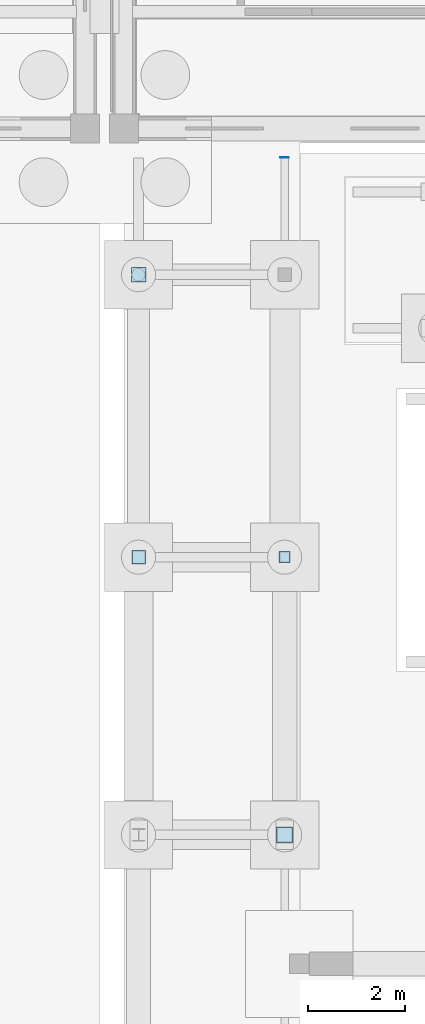
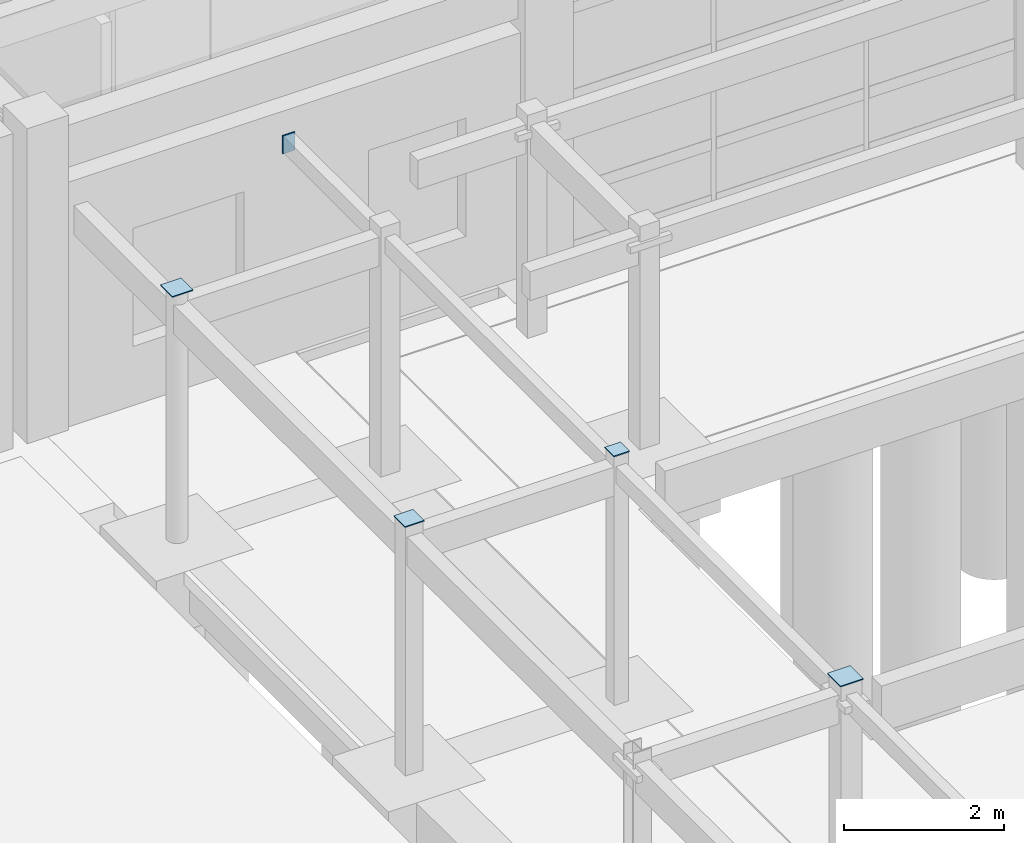
# One storey, part 89 of 143: 5 plates.
"""IFC4 building model written with IfcOpenShell, lengths in metres."""

from ifc_helpers import new_model, si_unit, direction, frame, origin, origin_2d, place, context, subcontext, project, spatial, rectangle, extrude, material, layer, layer_set, type_object, element, save


model = new_model("IFC4")

# Units and contexts
model_context = context("Model", 3, precision=1e-05, world=origin(), true_north=direction((0.0, 1.0)))
body_context = subcontext(model_context, "Body", "Model", "MODEL_VIEW")
ifc_project = project(units=[si_unit("LENGTHUNIT", "METRE"), si_unit("AREAUNIT", "SQUARE_METRE"), si_unit("VOLUMEUNIT", "CUBIC_METRE"), si_unit("PLANEANGLEUNIT", "RADIAN"), si_unit("MASSUNIT", "GRAM", prefix="KILO")], contexts=[model_context])

# Site, building, storey
site_placement = place(None, origin())
site = spatial("IfcSite", under=ifc_project, at=site_placement, CompositionType="ELEMENT")
building_placement = place(site_placement, origin())
building = spatial("IfcBuilding", under=site, at=building_placement, Name="Steenspoor Specialist Clinic", CompositionType="ELEMENT")
storey_placement = place(building_placement, origin())
storey = spatial("IfcBuildingStorey", under=building, at=storey_placement, Name="L00", CompositionType="ELEMENT", Elevation=0.0)

# Plates
ifc_material = material(Name="Steel A572 Grade 50", Category="steel")
ifc_layer = layer(ifc_material, 0.01611328125)
ifc_layer_set = layer_set([ifc_layer], Name="Steel A572 Grade 50")
plate_type = type_object("IfcPlateType", Name="PL-GUS-16", PredefinedType="SHEET", material=ifc_layer_set)
plate_1_placement = place(storey_placement, frame((55.699951171875, 50.64990234375, 3.7978515625), z_axis=(0.0, 0.0, 1.0), x_axis=(1.0, 0.0, 0.0)))
element("IfcPlate", 1, at=plate_1_placement, inside=storey, type_object=plate_type, Name="Hollow Column Top Cap Plate GP-16 5", PredefinedType="SHEET", context=body_context, shape_type="SweptSolid", body=[
    extrude(rectangle(XDim=0.3291015625, YDim=0.3291015625, at=origin_2d()), origin(), (0.0, 0.0, 1.0), 0.01611328125),
])
plate_2_placement = place(storey_placement, frame((52.699951171875, 56.35009765625, 3.7978515625), z_axis=(0.0, 0.0, 1.0), x_axis=(1.0, 0.0, 0.0)))
element("IfcPlate", 2, at=plate_2_placement, inside=storey, type_object=plate_type, Name="Hollow Column Top Cap Plate GP-16 6", PredefinedType="SHEET", context=body_context, shape_type="SweptSolid", body=[
    extrude(rectangle(XDim=0.278076171875, YDim=0.278076171875, at=origin_2d()), origin(), (0.0, 0.0, 1.0), 0.01611328125),
])
plate_3_placement = place(storey_placement, frame((55.699951171875, 56.35009765625, 3.7978515625), z_axis=(0.0, 0.0, 1.0), x_axis=(1.0, 0.0, 0.0)))
element("IfcPlate", 3, at=plate_3_placement, inside=storey, type_object=plate_type, Name="Hollow Column Top Cap Plate GP-16 7", PredefinedType="SHEET", context=body_context, shape_type="SweptSolid", body=[
    extrude(rectangle(XDim=0.22705078125, YDim=0.22705078125, at=origin_2d()), origin(), (0.0, 0.0, 1.0), 0.01611328125),
])
plate_4_placement = place(storey_placement, frame((52.699951171875, 62.14990234375, 3.7978515625), z_axis=(0.0, 0.0, 1.0), x_axis=(1.0, 0.0, 0.0)))
element("IfcPlate", 4, at=plate_4_placement, inside=storey, type_object=plate_type, Name="Hollow Column Top Cap Plate GP-16 8", PredefinedType="SHEET", context=body_context, shape_type="SweptSolid", body=[
    extrude(rectangle(XDim=0.297119140625, YDim=0.297119140625, at=origin_2d()), origin(), (0.0, 0.0, 1.0), 0.01611328125),
])
plate_5_placement = place(storey_placement, frame((55.699951171875, 64.555908203125, 3.369140625), z_axis=(0.0, 0.0, 1.0), x_axis=(1.0, 0.0, 0.0)))
element("IfcPlate", 5, at=plate_5_placement, inside=storey, type_object=plate_type, Name="Hollow Beam End Cap Plate GP-16 15", PredefinedType="SHEET", context=body_context, shape_type="SweptSolid", body=[
    extrude(rectangle(XDim=0.176025390625, YDim=0.01611328125, at=origin_2d()), origin(), (0.0, 0.0, 1.0), 0.278076171875),
])

save(model, "model.ifc")
